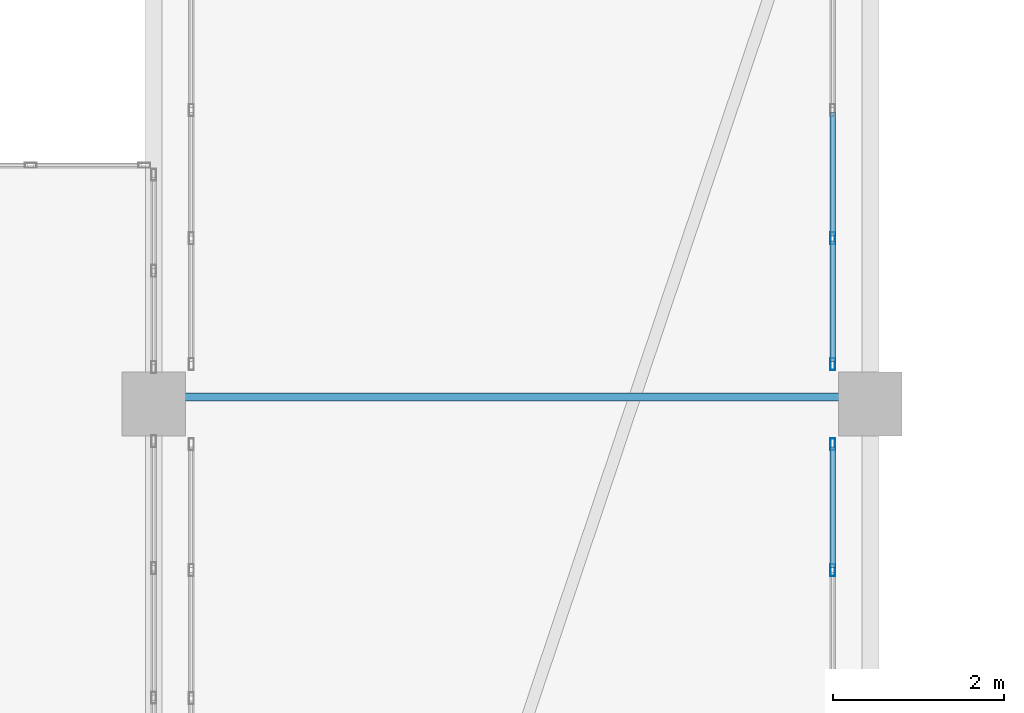
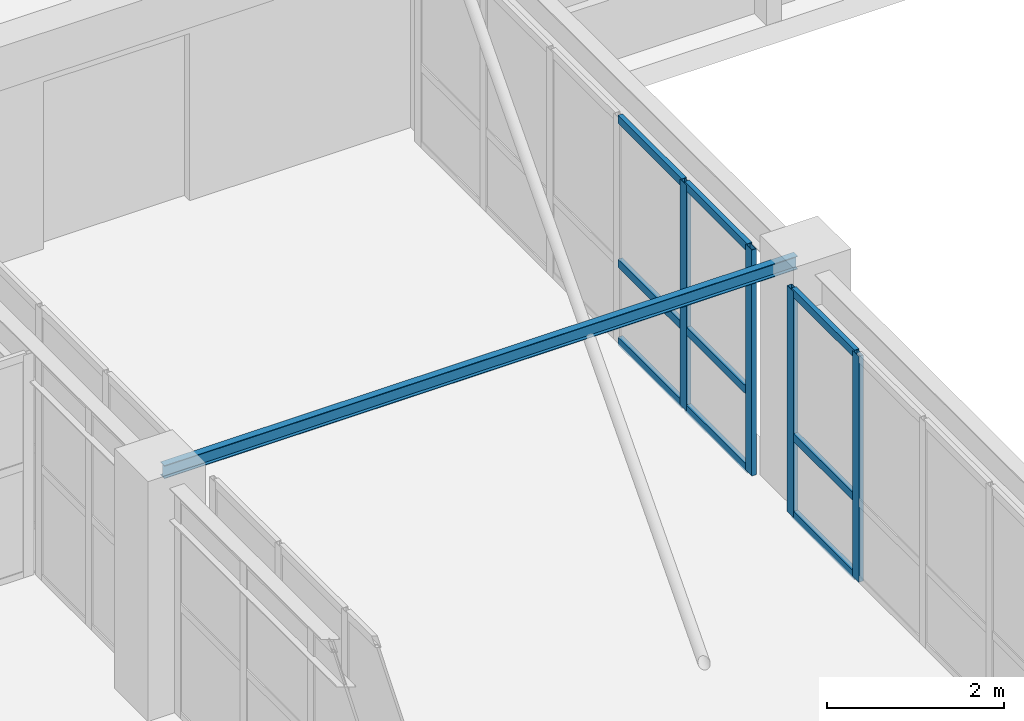
# One storey, part 105 of 200: 13 members, 1 beam, 2 elements without a shape of their own.
"""IFC4 building model written with IfcOpenShell, lengths in metres."""

from ifc_helpers import new_model, si_unit, direction, frame, origin, origin_2d, place, context, subcontext, project, spatial, hollow_rectangle, i_section, extrude, material, layer, layer_set, material_profile, profile_set, type_object, element, aggregate, save


model = new_model("IFC4")

# Units and contexts
model_context = context("Model", 3, precision=1e-05, world=origin(), true_north=direction((0.0, 1.0)))
body_context = subcontext(model_context, "Body", "Model", "MODEL_VIEW")
ifc_project = project(units=[si_unit("LENGTHUNIT", "METRE"), si_unit("AREAUNIT", "SQUARE_METRE"), si_unit("VOLUMEUNIT", "CUBIC_METRE"), si_unit("PLANEANGLEUNIT", "RADIAN"), si_unit("MASSUNIT", "GRAM", prefix="KILO")], contexts=[model_context])

# Site, building, storey
site_placement = place(None, origin())
site = spatial("IfcSite", under=ifc_project, at=site_placement, CompositionType="ELEMENT")
building_placement = place(site_placement, origin())
building = spatial("IfcBuilding", under=site, at=building_placement, Name="Trelvath General Hospital", CompositionType="ELEMENT")
storey_placement = place(building_placement, frame((0.0, 0.0, 4.800048828125)))
storey = spatial("IfcBuildingStorey", under=building, at=storey_placement, Name="L01", CompositionType="ELEMENT", Elevation=4.800048828125)

# Beam
ifc_material_1 = material(Name="Steel S355", Category="steel")
ifc_material_profile_1 = material_profile(ifc_material_1, i_section(OverallWidth=0.091064453125, OverallDepth=0.179931640625, WebThickness=0.00537109375, FlangeThickness=0.008056640625, at=origin_2d()), Name="IPE180")
ifc_profile_set_1 = profile_set([ifc_material_profile_1], Name="Steel S355")
beam_type = type_object("IfcBeamType", Name="BridgeJoist IPE180", PredefinedType="JOIST", material=ifc_profile_set_1)
beam_placement = place(storey_placement, frame((75.679931640625, 84.083984375, 3.02001953125), z_axis=(1.0, 0.0, 0.0), x_axis=(0.0, 1.0, 0.0)))
element("IfcBeam", 1, at=beam_placement, inside=storey, type_object=beam_type, Name="Bridge Cross Joist BRG-N-C L02", PredefinedType="JOIST", context=body_context, shape_type="SweptSolid", body=[
    extrude(i_section(OverallWidth=0.091064453125, OverallDepth=0.179931640625, WebThickness=0.00537109375, FlangeThickness=0.008056640625, at=origin_2d()), origin(), (0.0, 0.0, 1.0), 8.239990234375),
])

# Curtain wall, members
ifc_material_2 = material(Name="Anodised aluminium and low-E glass", Category="aluminium")
ifc_layer = layer(ifc_material_2, 0.139892578125)
ifc_layer_set = layer_set([ifc_layer], Name="Anodised aluminium and low-E glass")
curtain_wall_type = type_object("IfcCurtainWallType", Name="CW Bridge 752 311", PredefinedType="USERDEFINED", material=ifc_layer_set)
curtain_wall_1_placement = place(storey_placement, origin())
curtain_wall_1 = element("IfcCurtainWall", 2, at=curtain_wall_1_placement, inside=storey, type_object=curtain_wall_type, Name="Glazed Bridge Curtain Wall BRG-N-C E L01", ObjectType="Unitised Glazed Curtain Wall", PredefinedType="USERDEFINED")
ifc_material_3 = material(Name="Anodised aluminium", Category="aluminium")
ifc_material_profile_2 = material_profile(ifc_material_3, hollow_rectangle(XDim=0.06005859375, YDim=0.139892578125, WallThickness=0.00390625, at=origin_2d()), Name="RHS60x140x4")
ifc_profile_set_2 = profile_set([ifc_material_profile_2], Name="Anodised aluminium")
member_type_1 = type_object("IfcMemberType", Name="CurtainMullion 60x140", PredefinedType="MULLION", material=ifc_profile_set_2)
member_1_placement = place(storey_placement, frame((83.56005859375, 83.530029296875, 0.0), z_axis=(0.0, 0.0, 1.0), x_axis=(1.0, 0.0, 0.0)))
member_1 = element("IfcMember", 3, at=member_1_placement, type_object=member_type_1, Name="CW-175 mullion 1", PredefinedType="MULLION", context=body_context, shape_type="SweptSolid", body=[
    extrude(hollow_rectangle(XDim=0.06005859375, YDim=0.139892578125, WallThickness=0.00390625, at=origin_2d()), origin(), (0.0, 0.0, 1.0), 3.10986328125),
])
member_2_placement = place(storey_placement, frame((83.56005859375, 82.055908203125, 0.0), z_axis=(0.0, 0.0, 1.0), x_axis=(1.0, 0.0, 0.0)))
member_2 = element("IfcMember", 4, at=member_2_placement, type_object=member_type_1, Name="CW-175 mullion 2", PredefinedType="MULLION", context=body_context, shape_type="SweptSolid", body=[
    extrude(hollow_rectangle(XDim=0.06005859375, YDim=0.139892578125, WallThickness=0.00390625, at=origin_2d()), origin(), (0.0, 0.0, 1.0), 3.10986328125),
])

curtain_wall_2_placement = place(storey_placement, origin())
curtain_wall_2 = element("IfcCurtainWall", 5, at=curtain_wall_2_placement, inside=storey, type_object=curtain_wall_type, Name="Glazed Bridge Curtain Wall BRG-N-C E L01", ObjectType="Unitised Glazed Curtain Wall", PredefinedType="USERDEFINED")
member_3_placement = place(storey_placement, frame((83.56005859375, 85.944091796875, 0.0), z_axis=(0.0, 0.0, 1.0), x_axis=(1.0, 0.0, 0.0)))
member_3 = element("IfcMember", 6, at=member_3_placement, type_object=member_type_1, Name="CW-177 mullion 5", PredefinedType="MULLION", context=body_context, shape_type="SweptSolid", body=[
    extrude(hollow_rectangle(XDim=0.06005859375, YDim=0.139892578125, WallThickness=0.00390625, at=origin_2d()), origin(), (0.0, 0.0, 1.0), 3.10986328125),
])
member_4_placement = place(storey_placement, frame((83.56005859375, 84.469970703125, 0.0), z_axis=(0.0, 0.0, 1.0), x_axis=(1.0, 0.0, 0.0)))
member_4 = element("IfcMember", 7, at=member_4_placement, type_object=member_type_1, Name="CW-177 mullion 6", PredefinedType="MULLION", context=body_context, shape_type="SweptSolid", body=[
    extrude(hollow_rectangle(XDim=0.06005859375, YDim=0.139892578125, WallThickness=0.00390625, at=origin_2d()), origin(), (0.0, 0.0, 1.0), 3.10986328125),
])

# Member
ifc_material_4 = material(Name="Anodised aluminium", Category="aluminium")
ifc_material_profile_3 = material_profile(ifc_material_4, hollow_rectangle(XDim=0.06005859375, YDim=0.110107421875, WallThickness=0.00390625, at=origin_2d()), Name="RHS60x110x4")
ifc_profile_set_3 = profile_set([ifc_material_profile_3], Name="Anodised aluminium")
member_type_2 = type_object("IfcMemberType", Name="CurtainTransom 60x110", PredefinedType="USERDEFINED", material=ifc_profile_set_3)
member_5_placement = place(storey_placement, frame((83.56005859375, 83.5, 0.030029296875), z_axis=(0.0, -1.0, 0.0), x_axis=(1.0, 0.0, 0.0)))
member_5 = element("IfcMember", 8, at=member_5_placement, type_object=member_type_2, Name="CW-175 transom 1.1", ObjectType="TRANSOM", PredefinedType="USERDEFINED", context=body_context, shape_type="SweptSolid", body=[
    extrude(hollow_rectangle(XDim=0.06005859375, YDim=0.110107421875, WallThickness=0.00390625, at=origin_2d()), origin(), (0.0, 0.0, 1.0), 1.4140625),
])

member_6_placement = place(storey_placement, frame((83.56005859375, 83.5, 1.099853515625), z_axis=(0.0, -1.0, 0.0), x_axis=(1.0, 0.0, 0.0)))
member_6 = element("IfcMember", 9, at=member_6_placement, type_object=member_type_2, Name="CW-175 transom 1.2", ObjectType="TRANSOM", PredefinedType="USERDEFINED", context=body_context, shape_type="SweptSolid", body=[
    extrude(hollow_rectangle(XDim=0.06005859375, YDim=0.110107421875, WallThickness=0.00390625, at=origin_2d()), origin(), (0.0, 0.0, 1.0), 1.4140625),
])

member_7_placement = place(storey_placement, frame((83.56005859375, 83.5, 3.079833984375), z_axis=(0.0, -1.0, 0.0), x_axis=(1.0, 0.0, 0.0)))
member_7 = element("IfcMember", 10, at=member_7_placement, type_object=member_type_2, Name="CW-175 transom 1.3", ObjectType="TRANSOM", PredefinedType="USERDEFINED", context=body_context, shape_type="SweptSolid", body=[
    extrude(hollow_rectangle(XDim=0.06005859375, YDim=0.110107421875, WallThickness=0.00390625, at=origin_2d()), origin(), (0.0, 0.0, 1.0), 1.4140625),
])

aggregate(curtain_wall_1, [member_1, member_2, member_5, member_6, member_7])

member_8_placement = place(storey_placement, frame((83.56005859375, 87.41796875, 0.030029296875), z_axis=(0.0, -1.0, 0.0), x_axis=(1.0, 0.0, 0.0)))
member_8 = element("IfcMember", 11, at=member_8_placement, type_object=member_type_2, Name="CW-177 transom 4.1", ObjectType="TRANSOM", PredefinedType="USERDEFINED", context=body_context, shape_type="SweptSolid", body=[
    extrude(hollow_rectangle(XDim=0.06005859375, YDim=0.110107421875, WallThickness=0.00390625, at=origin_2d()), origin(), (0.0, 0.0, 1.0), 1.44384765625),
])

member_9_placement = place(storey_placement, frame((83.56005859375, 87.41796875, 1.099853515625), z_axis=(0.0, -1.0, 0.0), x_axis=(1.0, 0.0, 0.0)))
member_9 = element("IfcMember", 12, at=member_9_placement, type_object=member_type_2, Name="CW-177 transom 4.2", ObjectType="TRANSOM", PredefinedType="USERDEFINED", context=body_context, shape_type="SweptSolid", body=[
    extrude(hollow_rectangle(XDim=0.06005859375, YDim=0.110107421875, WallThickness=0.00390625, at=origin_2d()), origin(), (0.0, 0.0, 1.0), 1.44384765625),
])

member_10_placement = place(storey_placement, frame((83.56005859375, 87.41796875, 3.079833984375), z_axis=(0.0, -1.0, 0.0), x_axis=(1.0, 0.0, 0.0)))
member_10 = element("IfcMember", 13, at=member_10_placement, type_object=member_type_2, Name="CW-177 transom 4.3", ObjectType="TRANSOM", PredefinedType="USERDEFINED", context=body_context, shape_type="SweptSolid", body=[
    extrude(hollow_rectangle(XDim=0.06005859375, YDim=0.110107421875, WallThickness=0.00390625, at=origin_2d()), origin(), (0.0, 0.0, 1.0), 1.44384765625),
])

member_11_placement = place(storey_placement, frame((83.56005859375, 85.9140625, 0.030029296875), z_axis=(0.0, -1.0, 0.0), x_axis=(1.0, 0.0, 0.0)))
member_11 = element("IfcMember", 14, at=member_11_placement, type_object=member_type_2, Name="CW-177 transom 5.1", ObjectType="TRANSOM", PredefinedType="USERDEFINED", context=body_context, shape_type="SweptSolid", body=[
    extrude(hollow_rectangle(XDim=0.06005859375, YDim=0.110107421875, WallThickness=0.00390625, at=origin_2d()), origin(), (0.0, 0.0, 1.0), 1.4140625),
])

member_12_placement = place(storey_placement, frame((83.56005859375, 85.9140625, 1.099853515625), z_axis=(0.0, -1.0, 0.0), x_axis=(1.0, 0.0, 0.0)))
member_12 = element("IfcMember", 15, at=member_12_placement, type_object=member_type_2, Name="CW-177 transom 5.2", ObjectType="TRANSOM", PredefinedType="USERDEFINED", context=body_context, shape_type="SweptSolid", body=[
    extrude(hollow_rectangle(XDim=0.06005859375, YDim=0.110107421875, WallThickness=0.00390625, at=origin_2d()), origin(), (0.0, 0.0, 1.0), 1.4140625),
])

member_13_placement = place(storey_placement, frame((83.56005859375, 85.9140625, 3.079833984375), z_axis=(0.0, -1.0, 0.0), x_axis=(1.0, 0.0, 0.0)))
member_13 = element("IfcMember", 16, at=member_13_placement, type_object=member_type_2, Name="CW-177 transom 5.3", ObjectType="TRANSOM", PredefinedType="USERDEFINED", context=body_context, shape_type="SweptSolid", body=[
    extrude(hollow_rectangle(XDim=0.06005859375, YDim=0.110107421875, WallThickness=0.00390625, at=origin_2d()), origin(), (0.0, 0.0, 1.0), 1.4140625),
])

aggregate(curtain_wall_2, [member_3, member_4, member_8, member_9, member_10, member_11, member_12, member_13])

save(model, "model.ifc")
